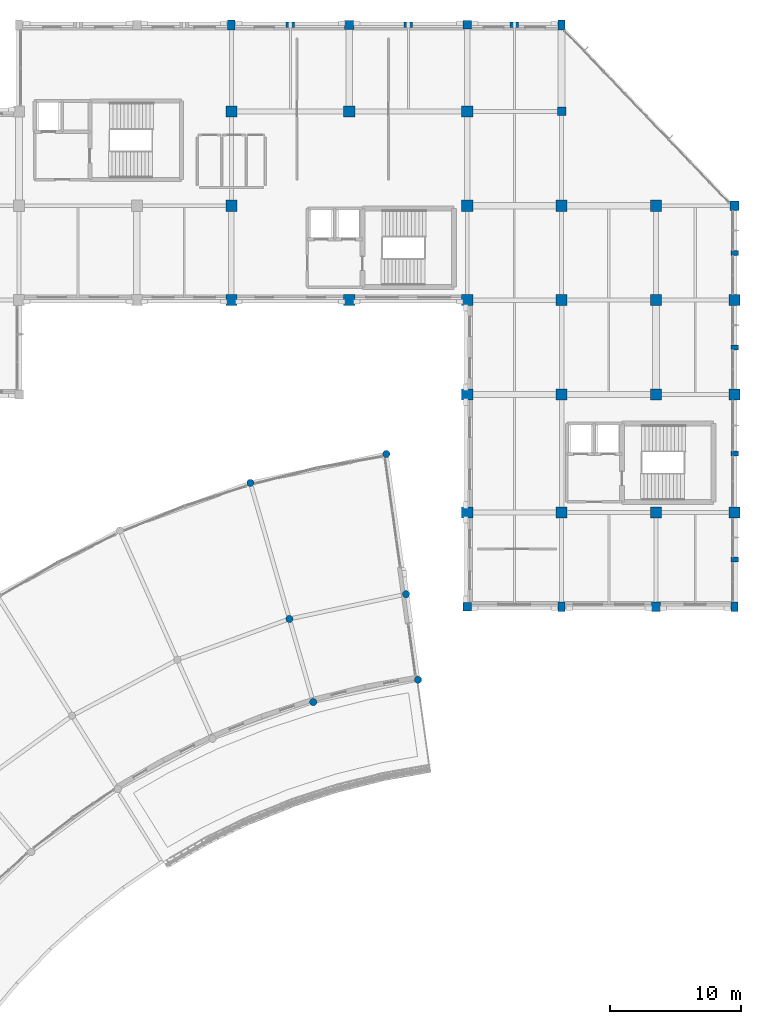
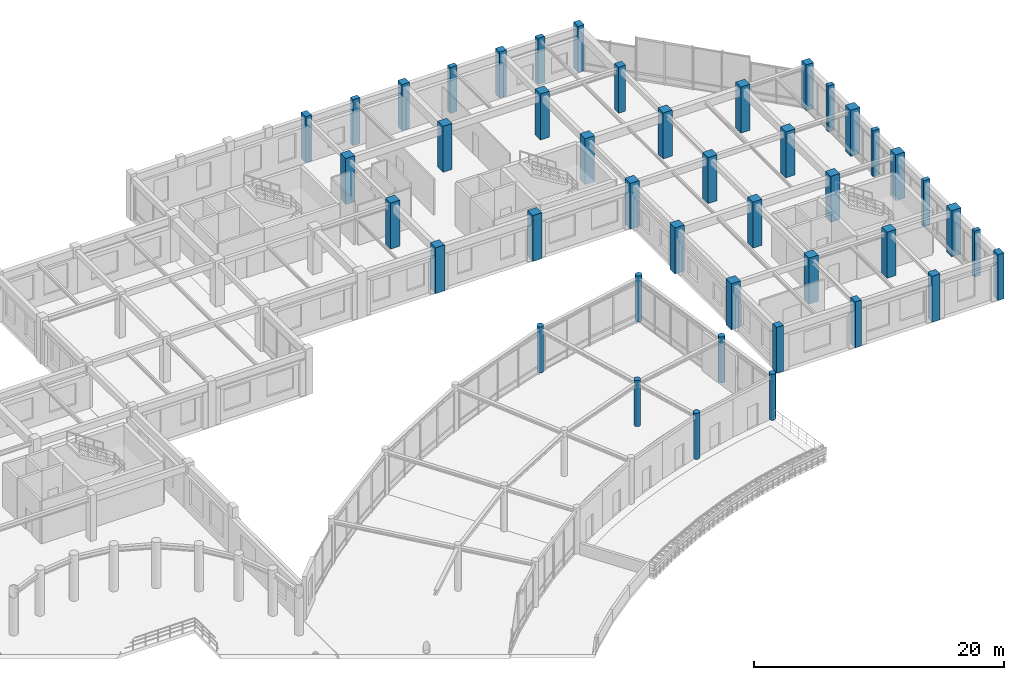
# One storey, part 2 of 62: 44 columns.
"""IFC4 building model written with IfcOpenShell, lengths in metres."""

from ifc_helpers import new_model, si_unit, direction, frame, origin, origin_2d, place, context, subcontext, project, spatial, rectangle, circle, extrude, material, material_profile, profile_set, type_object, element, save


model = new_model("IFC4")

# Units and contexts
model_context = context("Model", 3, precision=1e-05, world=origin(), true_north=direction((0.0, 1.0)))
body_context = subcontext(model_context, "Body", "Model", "MODEL_VIEW")
ifc_project = project(units=[si_unit("LENGTHUNIT", "METRE"), si_unit("AREAUNIT", "SQUARE_METRE"), si_unit("VOLUMEUNIT", "CUBIC_METRE"), si_unit("PLANEANGLEUNIT", "RADIAN"), si_unit("MASSUNIT", "GRAM", prefix="KILO")], contexts=[model_context])

# Site, building, storey
site_placement = place(None, origin())
site = spatial("IfcSite", under=ifc_project, at=site_placement, CompositionType="ELEMENT")
building_placement = place(site_placement, origin())
building = spatial("IfcBuilding", under=site, at=building_placement, Name="Clarverna Civic Hall", CompositionType="ELEMENT")
storey_placement = place(building_placement, frame((0.0, 0.0, 5.10009765625)))
storey = spatial("IfcBuildingStorey", under=building, at=storey_placement, Name="L01", CompositionType="ELEMENT", Elevation=5.10009765625)

# Columns
ifc_material_1 = material(Name="Concrete C35/45", Category="concrete")
ifc_material_profile_1 = material_profile(ifc_material_1, circle(Radius=0.27490234375, at=origin_2d()), Name="RC D550")
ifc_profile_set_1 = profile_set([ifc_material_profile_1], Name="Concrete C35/45")
column_type_1 = type_object("IfcColumnType", Name="C-CV2", PredefinedType="COLUMN", material=ifc_profile_set_1)
for number, where, z_axis, x_axis, name in (
    (1, (142.92578125, 72.5654296875, 0.0), (0.0, 0.0, 1.0), (1.0, 0.0, 0.0), "C-CV2-001"),
    (2, (134.0283203125, 70.67431640625, 0.0), (0.0, 0.0, 1.0), (1.0, 0.0, 0.0), "C-CV2-002"),
    (3, (141.4228515625, 83.260498046875, 0.0), (0.0, 0.0, 1.0), (1.0, 0.0, 0.0), "C-CV2-011"),
    (4, (131.051513671875, 81.055908203125, 0.0), (0.0, 0.0, 1.0), (1.0, 0.0, 0.0), "C-CV2-012"),
    (5, (143.844482421875, 66.02978515625, 0.0), (0.0, 0.0, 1.0), (1.0, 0.0, 0.0), "C-CV2-020"),
    (6, (135.84765625, 64.329833984375, 0.0), (0.0, 0.0, 1.0), (1.0, 0.0, 0.0), "C-CV2-021"),
):
    element("IfcColumn", number, at=place(storey_placement, frame(where, z_axis=z_axis, x_axis=x_axis)), inside=storey, type_object=column_type_1, Name=name, PredefinedType="COLUMN", context=body_context, shape_type="SweptSolid", body=[
        extrude(circle(Radius=0.27490234375, at=origin_2d()), origin(), (0.0, 0.0, 1.0), 4.5),
    ])
ifc_material_2 = material(Name="Precast concrete C40/50", Category="concrete")
ifc_material_profile_2 = material_profile(ifc_material_2, rectangle(XDim=0.64990234375, YDim=0.419921875, at=origin_2d()), Name="PILASTER 650x420")
ifc_profile_set_2 = profile_set([ifc_material_profile_2], Name="Precast concrete C40/50")
column_type_2 = type_object("IfcColumnType", Name="C-PL1", PredefinedType="PILASTER", material=ifc_profile_set_2)
for number, where, z_axis, x_axis, name in (
    (7, (134.10009765625, 116.0, 0.0), (0.0, 0.0, 1.0), (1.0, 0.0, 0.0), "C-PL1-017"),
    (8, (143.10009765625, 116.0, 0.0), (0.0, 0.0, 1.0), (1.0, 0.0, 0.0), "C-PL1-024"),
    (9, (151.199951171875, 116.0, 0.0), (0.0, 0.0, 1.0), (1.0, 0.0, 0.0), "C-PL1-031"),
):
    element("IfcColumn", number, at=place(storey_placement, frame(where, z_axis=z_axis, x_axis=x_axis)), inside=storey, type_object=column_type_2, Name=name, PredefinedType="PILASTER", context=body_context, shape_type="SweptSolid", body=[
        extrude(rectangle(XDim=0.64990234375, YDim=0.419921875, at=origin_2d()), origin(), (0.0, 0.0, 1.0), 4.5),
    ])
ifc_material_profile_3 = material_profile(ifc_material_2, rectangle(XDim=0.580078125, YDim=0.3798828125, at=origin_2d()), Name="PILASTER 580x380")
ifc_profile_set_3 = profile_set([ifc_material_profile_3], Name="Precast concrete C40/50")
column_type_3 = type_object("IfcColumnType", Name="C-PL2", PredefinedType="PILASTER", material=ifc_profile_set_3)
for number, where, z_axis, x_axis, name in (
    (10, (168.0, 75.199951171875, 0.0), (0.0, 0.0, 1.0), (1.0, 0.0, 0.0), "C-PL2-003"),
    (11, (168.0, 83.300048828125, 0.0), (0.0, 0.0, 1.0), (1.0, 0.0, 0.0), "C-PL2-010"),
    (12, (168.0, 91.39990234375, 0.0), (0.0, 0.0, 1.0), (1.0, 0.0, 0.0), "C-PL2-017"),
    (13, (168.0, 98.60009765625, 0.0), (0.0, 0.0, 1.0), (1.0, 0.0, 0.0), "C-PL2-024"),
):
    element("IfcColumn", number, at=place(storey_placement, frame(where, z_axis=z_axis, x_axis=x_axis)), inside=storey, type_object=column_type_3, Name=name, PredefinedType="PILASTER", context=body_context, shape_type="SweptSolid", body=[
        extrude(rectangle(XDim=0.580078125, YDim=0.3798828125, at=origin_2d()), origin(), (0.0, 0.0, 1.0), 4.5),
    ])
ifc_material_profile_4 = material_profile(ifc_material_1, rectangle(XDim=0.550048828125, YDim=0.75, at=origin_2d()), Name="RC 550x750")
ifc_profile_set_4 = profile_set([ifc_material_profile_4], Name="Concrete C35/45")
column_type_4 = type_object("IfcColumnType", Name="C-RC16", PredefinedType="COLUMN", material=ifc_profile_set_4)
for number, where, z_axis, x_axis, name in (
    (14, (129.60009765625, 116.0, 0.0), (0.0, 0.0, 1.0), (1.0, 0.0, 0.0), "C-RC16-041"),
    (15, (154.800048828125, 71.60009765625, 0.0), (0.0, 0.0, 1.0), (1.0, 0.0, 0.0), "C-RC16-042"),
    (16, (154.800048828125, 116.0, 0.0), (0.0, 0.0, 1.0), (1.0, 0.0, 0.0), "C-RC16-043"),
    (17, (168.0, 71.60009765625, 0.0), (0.0, 0.0, 1.0), (1.0, 0.0, 0.0), "C-RC16-044"),
):
    element("IfcColumn", number, at=place(storey_placement, frame(where, z_axis=z_axis, x_axis=x_axis)), inside=storey, type_object=column_type_4, Name=name, PredefinedType="COLUMN", context=body_context, shape_type="SweptSolid", body=[
        extrude(rectangle(XDim=0.550048828125, YDim=0.75, at=origin_2d()), origin(), (0.0, 0.0, 1.0), 4.5),
    ])
ifc_material_3 = material(Name="Concrete C40/50", Category="concrete")
ifc_material_profile_5 = material_profile(ifc_material_3, rectangle(XDim=0.85009765625, YDim=0.85009765625, at=origin_2d()), Name="RC 850x850")
ifc_profile_set_5 = profile_set([ifc_material_profile_5], Name="Concrete C40/50")
column_type_5 = type_object("IfcColumnType", Name="C-RC3", PredefinedType="COLUMN", material=ifc_profile_set_5)
for number, where, z_axis, x_axis, name in (
    (18, (129.60009765625, 95.0, 0.0), (0.0, 0.0, 1.0), (1.0, 0.0, 0.0), "C-RC3-012"),
    (19, (129.60009765625, 102.199951171875, 0.0), (0.0, 0.0, 1.0), (1.0, 0.0, 0.0), "C-RC3-013"),
    (20, (129.60009765625, 109.39990234375, 0.0), (0.0, 0.0, 1.0), (1.0, 0.0, 0.0), "C-RC3-014"),
    (21, (138.60009765625, 95.0, 0.0), (0.0, 0.0, 1.0), (1.0, 0.0, 0.0), "C-RC3-015"),
    (22, (138.60009765625, 109.39990234375, 0.0), (0.0, 0.0, 1.0), (1.0, 0.0, 0.0), "C-RC3-016"),
    (23, (147.60009765625, 78.800048828125, 0.0), (0.0, 0.0, 1.0), (1.0, 0.0, 0.0), "C-RC3-017"),
    (24, (147.60009765625, 87.800048828125, 0.0), (0.0, 0.0, 1.0), (1.0, 0.0, 0.0), "C-RC3-018"),
    (25, (147.60009765625, 95.0, 0.0), (0.0, 0.0, 1.0), (1.0, 0.0, 0.0), "C-RC3-019"),
    (26, (147.60009765625, 102.199951171875, 0.0), (0.0, 0.0, 1.0), (1.0, 0.0, 0.0), "C-RC3-020"),
    (27, (147.60009765625, 109.39990234375, 0.0), (0.0, 0.0, 1.0), (1.0, 0.0, 0.0), "C-RC3-021"),
    (28, (154.800048828125, 78.800048828125, 0.0), (0.0, 0.0, 1.0), (1.0, 0.0, 0.0), "C-RC3-022"),
    (29, (154.800048828125, 87.800048828125, 0.0), (0.0, 0.0, 1.0), (1.0, 0.0, 0.0), "C-RC3-023"),
    (30, (154.800048828125, 95.0, 0.0), (0.0, 0.0, 1.0), (1.0, 0.0, 0.0), "C-RC3-024"),
    (31, (154.800048828125, 102.199951171875, 0.0), (0.0, 0.0, 1.0), (1.0, 0.0, 0.0), "C-RC3-025"),
    (32, (162.0, 78.800048828125, 0.0), (0.0, 0.0, 1.0), (1.0, 0.0, 0.0), "C-RC3-026"),
    (33, (162.0, 87.800048828125, 0.0), (0.0, 0.0, 1.0), (1.0, 0.0, 0.0), "C-RC3-027"),
    (34, (162.0, 95.0, 0.0), (0.0, 0.0, 1.0), (1.0, 0.0, 0.0), "C-RC3-028"),
    (35, (162.0, 102.199951171875, 0.0), (0.0, 0.0, 1.0), (1.0, 0.0, 0.0), "C-RC3-029"),
    (36, (168.0, 78.800048828125, 0.0), (0.0, 0.0, 1.0), (1.0, 0.0, 0.0), "C-RC3-030"),
    (37, (168.0, 87.800048828125, 0.0), (0.0, 0.0, 1.0), (1.0, 0.0, 0.0), "C-RC3-031"),
    (38, (168.0, 95.0, 0.0), (0.0, 0.0, 1.0), (1.0, 0.0, 0.0), "C-RC3-032"),
):
    element("IfcColumn", number, at=place(storey_placement, frame(where, z_axis=z_axis, x_axis=x_axis)), inside=storey, type_object=column_type_5, Name=name, PredefinedType="COLUMN", context=body_context, shape_type="SweptSolid", body=[
        extrude(rectangle(XDim=0.85009765625, YDim=0.85009765625, at=origin_2d()), origin(), (0.0, 0.0, 1.0), 4.5),
    ])
ifc_material_profile_6 = material_profile(ifc_material_1, rectangle(XDim=0.699951171875, YDim=0.699951171875, at=origin_2d()), Name="RC 700x700")
ifc_profile_set_6 = profile_set([ifc_material_profile_6], Name="Concrete C35/45")
column_type_6 = type_object("IfcColumnType", Name="C-RC8", PredefinedType="COLUMN", material=ifc_profile_set_6)
for number, where, z_axis, x_axis, name in (
    (39, (138.60009765625, 116.0, 0.0), (0.0, 0.0, 1.0), (1.0, 0.0, 0.0), "C-RC8-056"),
    (40, (162.0, 71.60009765625, 0.0), (0.0, 0.0, 1.0), (1.0, 0.0, 0.0), "C-RC8-066"),
    (41, (168.0, 102.199951171875, 0.0), (0.0, 0.0, 1.0), (1.0, 0.0, 0.0), "C-RC8-074"),
):
    element("IfcColumn", number, at=place(storey_placement, frame(where, z_axis=z_axis, x_axis=x_axis)), inside=storey, type_object=column_type_6, Name=name, PredefinedType="COLUMN", context=body_context, shape_type="SweptSolid", body=[
        extrude(rectangle(XDim=0.699951171875, YDim=0.699951171875, at=origin_2d()), origin(), (0.0, 0.0, 1.0), 4.5),
    ])
ifc_material_profile_7 = material_profile(ifc_material_1, rectangle(XDim=0.64990234375, YDim=0.64990234375, at=origin_2d()), Name="RC 650x650")
ifc_profile_set_7 = profile_set([ifc_material_profile_7], Name="Concrete C35/45")
column_type_7 = type_object("IfcColumnType", Name="C-RC9", PredefinedType="COLUMN", material=ifc_profile_set_7)
for number, where, z_axis, x_axis, name in (
    (42, (147.60009765625, 71.60009765625, 0.0), (0.0, 0.0, 1.0), (1.0, 0.0, 0.0), "C-RC9-053"),
    (43, (147.60009765625, 116.0, 0.0), (0.0, 0.0, 1.0), (1.0, 0.0, 0.0), "C-RC9-059"),
    (44, (154.800048828125, 109.39990234375, 0.0), (0.0, 0.0, 1.0), (1.0, 0.0, 0.0), "C-RC9-064"),
):
    element("IfcColumn", number, at=place(storey_placement, frame(where, z_axis=z_axis, x_axis=x_axis)), inside=storey, type_object=column_type_7, Name=name, PredefinedType="COLUMN", context=body_context, shape_type="SweptSolid", body=[
        extrude(rectangle(XDim=0.64990234375, YDim=0.64990234375, at=origin_2d()), origin(), (0.0, 0.0, 1.0), 4.5),
    ])

save(model, "model.ifc")
